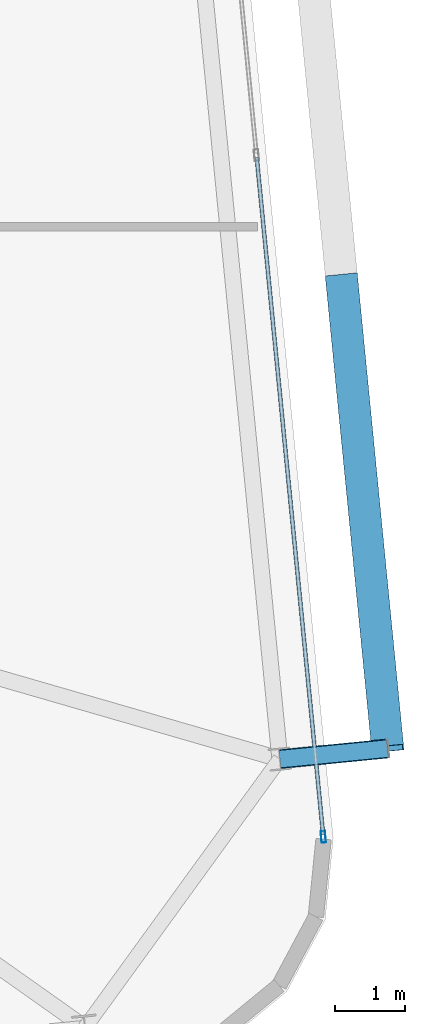
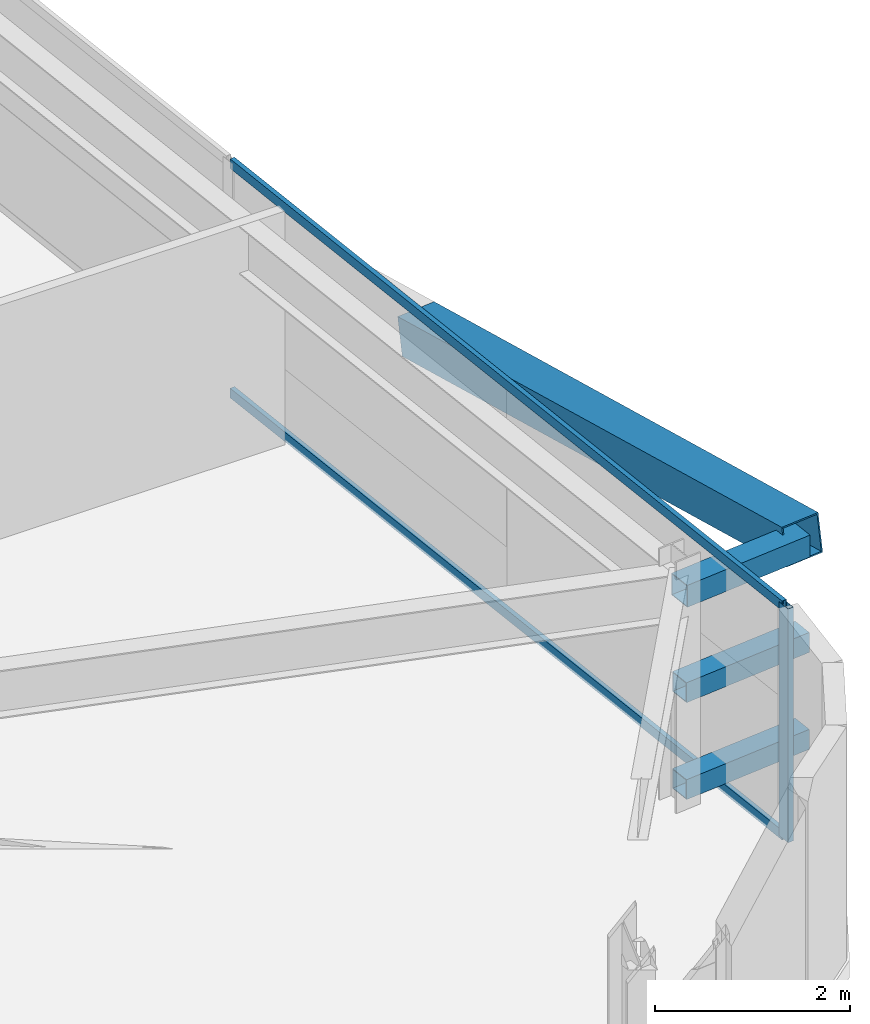
# One storey, part 19 of 47: 7 members, 1 element without a shape of its own.
"""IFC4 building model written with IfcOpenShell, lengths in metres."""

from ifc_helpers import new_model, si_unit, direction, frame, origin, origin_2d, place, context, subcontext, project, spatial, hollow_rectangle, extrude, source, transform, mapped, material, layer, layer_set, material_profile, profile_set, type_object, element, aggregate, save


model = new_model("IFC4")

# Units and contexts
model_context = context("Model", 3, precision=1e-05, world=origin(), true_north=direction((0.0, 1.0)))
body_context = subcontext(model_context, "Body", "Model", "MODEL_VIEW")
ifc_project = project(units=[si_unit("LENGTHUNIT", "METRE"), si_unit("AREAUNIT", "SQUARE_METRE"), si_unit("VOLUMEUNIT", "CUBIC_METRE"), si_unit("PLANEANGLEUNIT", "RADIAN"), si_unit("MASSUNIT", "GRAM", prefix="KILO")], contexts=[model_context])

# Site, building, storey
site_placement = place(None, origin())
site = spatial("IfcSite", under=ifc_project, at=site_placement, CompositionType="ELEMENT")
building_placement = place(site_placement, origin())
building = spatial("IfcBuilding", under=site, at=building_placement, Name="Taldren Reach Tower", CompositionType="ELEMENT")
storey_placement = place(building_placement, frame((0.0, 0.0, 90.300048828125)))
storey = spatial("IfcBuildingStorey", under=building, at=storey_placement, Name="L27", CompositionType="ELEMENT", Elevation=90.300048828125)

# Members
ifc_material_1 = material(Name="Steel Gr 450 (C450L0)", Category="steel")
ifc_material_profile_1 = material_profile(ifc_material_1, hollow_rectangle(XDim=0.27490234375, YDim=0.27490234375, WallThickness=0.00927734375, at=origin_2d()), Name="275x275x9.3SHS")
ifc_profile_set_1 = profile_set([ifc_material_profile_1], Name="Steel Gr 450 (C450L0)")
member_type_1 = type_object("IfcMemberType", Name="MB-TIE273", PredefinedType="STRUT", material=ifc_profile_set_1)
shared_shape_1 = source(origin(), body_context, "Body", "SweptSolid", [
    extrude(hollow_rectangle(XDim=0.27490234375, YDim=0.27490234375, WallThickness=0.00927734375, at=origin_2d()), origin(), (0.0, 0.0, 1.0), 1.550048828125),
])
member_1_placement = place(storey_placement, frame((65.8916015625, 8.483642578125, 2.64990234375), z_axis=(0.995236318924, 0.097491894511, 0.0), x_axis=(-0.097491894511, 0.995236318924, 0.0)))
element("IfcMember", 1, at=member_1_placement, inside=storey, type_object=member_type_1, Name="Exoskeleton diaphragm tie strut B2-E1 L27", PredefinedType="STRUT", context=body_context, shape_type="MappedRepresentation", body=[
    mapped(shared_shape_1, transform((0.0, 0.0, 0.0), scale=1.0)),
])
ifc_material_2 = material(Name="Steel Gr 350 (C350L0)", Category="steel")
ifc_material_profile_2 = material_profile(ifc_material_2, hollow_rectangle(XDim=0.25, YDim=0.25, WallThickness=0.010009765625, at=origin_2d()), Name="250x250x10.0SHS")
ifc_profile_set_2 = profile_set([ifc_material_profile_2], Name="Steel Gr 350 (C350L0)")
member_type_2 = type_object("IfcMemberType", Name="MB-POST250", PredefinedType="POST", material=ifc_profile_set_2)
shared_shape_2 = source(origin(), body_context, "Body", "SweptSolid", [
    extrude(hollow_rectangle(XDim=0.25, YDim=0.25, WallThickness=0.010009765625, at=origin_2d()), origin(), (0.0, 0.0, 1.0), 1.550048828125),
])
for number, where, z_axis, x_axis, name in (
    (2, (65.8916015625, 8.483642578125, 0.219970703125), (0.995236318924, 0.097491894511, 0.0), (-0.097491894511, 0.995236318924, 0.0), "Exoskeleton base diaphragm tie strut B2-E1 L27"),
    (3, (65.8916015625, 8.483642578125, 1.43505859375), (0.995236318924, 0.097491894511, 0.0), (-0.097491894511, 0.995236318924, 0.0), "Exoskeleton mid-tier diaphragm tie B2-E1 L27"),
):
    element("IfcMember", number, at=place(storey_placement, frame(where, z_axis=z_axis, x_axis=x_axis)), inside=storey, type_object=member_type_2, Name=name, PredefinedType="POST", context=body_context, shape_type="MappedRepresentation", body=[
        mapped(shared_shape_2, transform((0.0, 0.0, 0.0), scale=1.0)),
    ])
ifc_material_profile_3 = material_profile(ifc_material_1, hollow_rectangle(XDim=0.4599609375, YDim=0.4599609375, WallThickness=0.01611328125, at=origin_2d()), Name="460x460x16.0SHS")
ifc_profile_set_3 = profile_set([ifc_material_profile_3], Name="Steel Gr 450 (C450L0)")
member_type_3 = type_object("IfcMemberType", Name="MB-EXO457", PredefinedType="BRACE", material=ifc_profile_set_3)
shared_shape_3 = source(origin(), body_context, "Body", "SweptSolid", [
    extrude(hollow_rectangle(XDim=0.4599609375, YDim=0.4599609375, WallThickness=0.01611328125, at=origin_2d()), origin(), (0.0, 0.0, 1.0), 6.883056640625),
])
member_2_placement = place(storey_placement, frame((66.773193359375, 15.37744140625, 1.43505859375), z_axis=(0.096052059581, -0.979603316657, 0.176497432967), x_axis=(0.995227290009, 0.097584021339, 0.0)))
element("IfcMember", 4, at=member_2_placement, inside=storey, type_object=member_type_3, Name="Exoskeleton Diagrid Brace B2-E1 L27", PredefinedType="BRACE", context=body_context, shape_type="MappedRepresentation", body=[
    mapped(shared_shape_3, transform((0.0, 0.0, 0.0), scale=1.0)),
])

# Curtain wall, members
ifc_material_3 = material(Name="Aluminium and Low-E Glass Unitised System", Category="aluminium")
ifc_layer = layer(ifc_material_3, 0.159912109375)
ifc_layer_set = layer_set([ifc_layer], Name="Aluminium and Low-E Glass Unitised System")
curtain_wall_type = type_object("IfcCurtainWallType", Name="CW-SYS-3", PredefinedType="NOTDEFINED", material=ifc_layer_set)
curtain_wall_placement = place(storey_placement, origin())
curtain_wall = element("IfcCurtainWall", 5, at=curtain_wall_placement, inside=storey, type_object=curtain_wall_type, Name="Unitised curtain wall CW-L27-E", PredefinedType="NOTDEFINED")
ifc_material_4 = material(Name="Anodised Aluminium 6063-T6", Category="aluminium")
ifc_material_profile_4 = material_profile(ifc_material_4, hollow_rectangle(XDim=0.06494140625, YDim=0.1650390625, WallThickness=0.00390625, at=origin_2d()), Name="ALU-165x65x4RHS")
ifc_profile_set_4 = profile_set([ifc_material_profile_4], Name="Anodised Aluminium 6063-T6")
member_type_4 = type_object("IfcMemberType", Name="CW-MUL-165", PredefinedType="MULLION", material=ifc_profile_set_4)
shared_shape_4 = source(origin(), body_context, "Body", "SweptSolid", [
    extrude(hollow_rectangle(XDim=0.06494140625, YDim=0.1650390625, WallThickness=0.00390625, at=origin_2d()), origin(), (0.0, 0.0, 1.0), 2.929931640625),
])
member_3_placement = place(storey_placement, frame((66.51318359375, 7.371337890625, 0.0), z_axis=(0.0, 0.0, 1.0), x_axis=(-0.99522741555, -0.09758274098, 0.0)))
member_3 = element("IfcMember", 6, at=member_3_placement, type_object=member_type_4, Name="CW-3 mullion 1", PredefinedType="MULLION", context=body_context, shape_type="MappedRepresentation", body=[
    mapped(shared_shape_4, transform((0.0, 0.0, 0.0), scale=1.0)),
])
ifc_material_profile_5 = material_profile(ifc_material_4, hollow_rectangle(XDim=0.054931640625, YDim=0.1201171875, WallThickness=0.0029296875, at=origin_2d()), Name="ALU-120x55x3RHS")
ifc_profile_set_5 = profile_set([ifc_material_profile_5], Name="Anodised Aluminium 6063-T6")
member_type_5 = type_object("IfcMemberType", Name="CW-TRN-135", PredefinedType="USERDEFINED", material=ifc_profile_set_5)
shared_shape_5 = source(origin(), body_context, "Body", "SweptSolid", [
    extrude(hollow_rectangle(XDim=0.054931640625, YDim=0.1201171875, WallThickness=0.0029296875, at=origin_2d()), origin(), (0.0, 0.0, 1.0), 9.735595703125),
])
member_4_placement = place(storey_placement, frame((66.510009765625, 7.40380859375, 0.02734375), z_axis=(-0.097574346172, 0.995228238631, 0.0), x_axis=(-0.995228238631, -0.097574346172, 0.0)))
member_4 = element("IfcMember", 7, at=member_4_placement, type_object=member_type_5, Name="CW-3 transom 1.1", ObjectType="TRANSOM", PredefinedType="USERDEFINED", context=body_context, shape_type="MappedRepresentation", body=[
    mapped(shared_shape_5, transform((0.0, 0.0, 0.0), scale=1.0)),
])
member_5_placement = place(storey_placement, frame((66.510009765625, 7.40380859375, 2.90234375), z_axis=(-0.097574346172, 0.995228238631, 0.0), x_axis=(-0.995228238631, -0.097574346172, 0.0)))
member_5 = element("IfcMember", 8, at=member_5_placement, type_object=member_type_5, Name="CW-3 transom 1.2", ObjectType="TRANSOM", PredefinedType="USERDEFINED", context=body_context, shape_type="MappedRepresentation", body=[
    mapped(shared_shape_5, transform((0.0, 0.0, 0.0), scale=1.0)),
])
aggregate(curtain_wall, [member_3, member_4, member_5])

save(model, "model.ifc")
